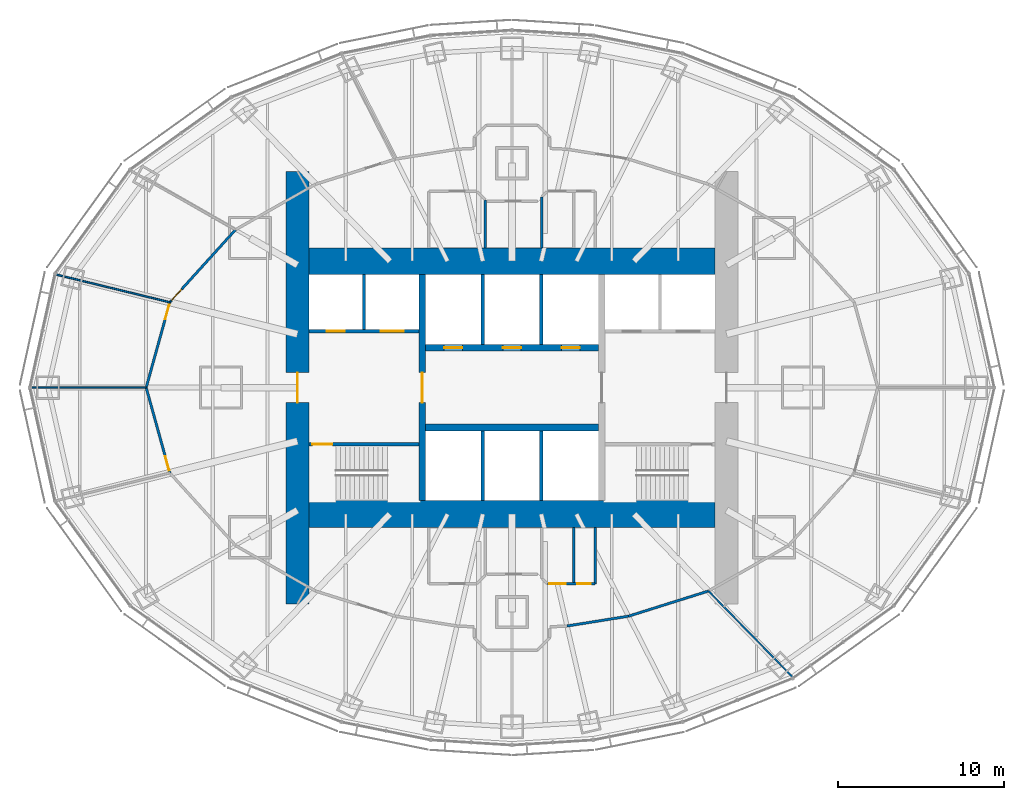
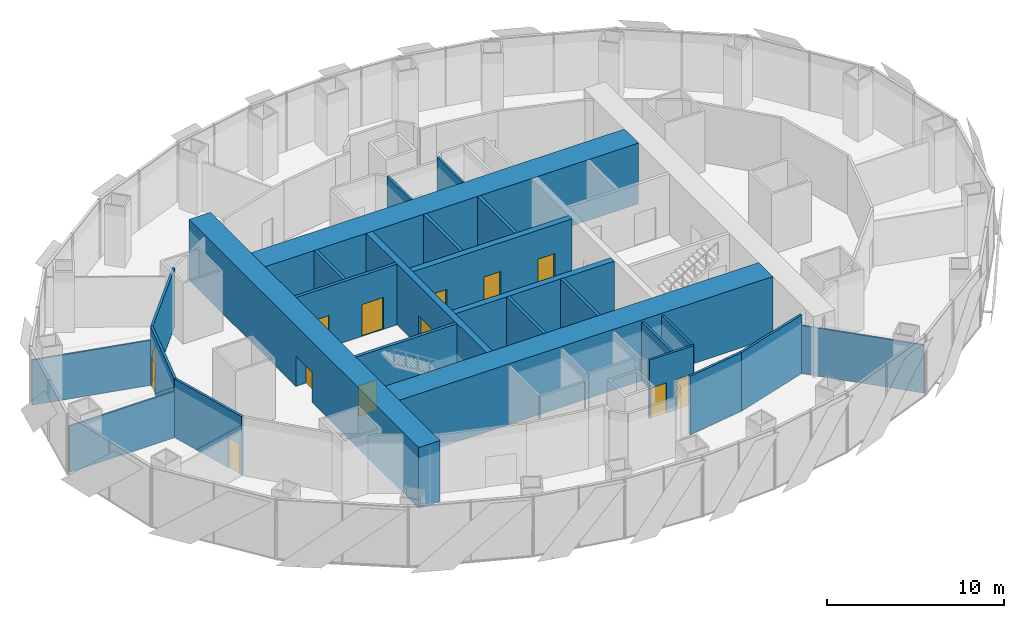
# One storey, part 11 of 17: 26 walls, 13 doors, 13 openings.
"""IFC4 building model written with IfcOpenShell, lengths in metres."""

from ifc_helpers import new_model, si_unit, direction, frame, frame_2d, origin, place, context, subcontext, project, spatial, rectangle, extrude, material, layer, layer_set, type_object, element, fill, save


model = new_model("IFC4")

# Units and contexts
model_context = context("Model", 3, precision=1e-05, world=origin(), true_north=direction((0.0, 1.0)))
body_context = subcontext(model_context, "Body", "Model", "MODEL_VIEW")
ifc_project = project(units=[si_unit("LENGTHUNIT", "METRE"), si_unit("AREAUNIT", "SQUARE_METRE"), si_unit("VOLUMEUNIT", "CUBIC_METRE"), si_unit("PLANEANGLEUNIT", "RADIAN"), si_unit("MASSUNIT", "GRAM", prefix="KILO")], contexts=[model_context])

# Site, building, storey
site_placement = place(None, origin())
site = spatial("IfcSite", under=ifc_project, at=site_placement, CompositionType="ELEMENT")
building_placement = place(site_placement, origin())
building = spatial("IfcBuilding", under=site, at=building_placement, Name="Lantaw Convention Tower", CompositionType="ELEMENT")
storey_placement = place(building_placement, frame((0.0, 0.0, 121.60009765625)))
storey = spatial("IfcBuildingStorey", under=building, at=storey_placement, Name="L28", CompositionType="ELEMENT", Elevation=121.60009765625)

# Wall, opening, door
ifc_material_1 = material(Name="Concrete C60/75", Category="concrete")
ifc_layer_1 = layer(ifc_material_1, 1.39990234375)
ifc_layer_set_1 = layer_set([ifc_layer_1], Name="Core wall 1400")
wall_type_1 = type_object("IfcWallType", Name="Core wall 1400", PredefinedType="SHEAR", material=ifc_layer_set_1)
wall_1_placement = place(storey_placement, frame((-12.89990234375, 13.0, 0.0), z_axis=(0.0, 0.0, 1.0), x_axis=(0.0, -1.0, 0.0)))
wall_1 = element("IfcWall", 1, at=wall_1_placement, inside=storey, type_object=wall_type_1, Name="Core wall W", PredefinedType="SHEAR", context=body_context, shape_type="SweptSolid", body=[
    extrude(rectangle(XDim=26.0, YDim=1.39990234375, at=frame_2d((13.0, 0.0))), origin(), (0.0, 0.0, 1.0), 4.199951171875),
])
opening_1_placement = place(wall_1_placement, frame((12.10009765625, 0.0, 0.0)))
opening_1 = element("IfcOpeningElement", 2, at=opening_1_placement, cuts=wall_1, Name="Opening L28.06", PredefinedType="OPENING", context=body_context, shape_type="SweptSolid", body=[
    extrude(rectangle(XDim=1.800048828125, YDim=2.10009765625, at=frame_2d((0.89990234375, 1.050048828125))), frame((0.0, 0.7099609375, 0.0), z_axis=(0.0, -1.0, 0.0), x_axis=(1.0, 0.0, 0.0)), (0.0, 0.0, 1.0), 1.419921875),
])
ifc_material_2 = material(Name="Steel, fire rated", Category="steel")
door_type_1 = type_object("IfcDoorType", Name="Lobby double door FD90", OperationType="DOUBLE_DOOR_DOUBLE_SWING", PredefinedType="DOOR", material=ifc_material_2)
door_1_placement = place(opening_1_placement, origin())
door_1 = element("IfcDoor", 3, at=door_1_placement, inside=storey, type_object=door_type_1, Name="Firefighting lobby door", OperationType="DOUBLE_DOOR_DOUBLE_SWING", OverallHeight=2.10009765625, OverallWidth=1.800048828125, PredefinedType="DOOR", context=body_context, shape_type="SweptSolid", body=[
    extrude(rectangle(XDim=1.800048828125, YDim=2.10009765625, at=frame_2d((0.89990234375, 1.050048828125))), frame((0.0, 0.02490234375, 0.0), z_axis=(0.0, -1.0, 0.0), x_axis=(1.0, 0.0, 0.0)), (0.0, 0.0, 1.0), 0.050048828125),
])
fill(opening_1, door_1)

# Walls
ifc_layer_2 = layer(ifc_material_1, 1.60009765625)
ifc_layer_set_2 = layer_set([ifc_layer_2], Name="Core wall 1600")
wall_type_2 = type_object("IfcWallType", Name="Core wall 1600", PredefinedType="SHEAR", material=ifc_layer_set_2)
for number, where, z_axis, x_axis, name in (
    (4, (-12.199951171875, -7.60009765625, 0.0), (0.0, 0.0, 1.0), (1.0, 0.0, 0.0), "Core wall S"),
    (5, (12.199951171875, 7.60009765625, 0.0), (0.0, 0.0, 1.0), (-1.0, 0.0, 0.0), "Core wall N"),
):
    element("IfcWall", number, at=place(storey_placement, frame(where, z_axis=z_axis, x_axis=x_axis)), inside=storey, type_object=wall_type_2, Name=name, PredefinedType="SHEAR", context=body_context, shape_type="SweptSolid", body=[
        extrude(rectangle(XDim=24.39990234375, YDim=1.60009765625, at=frame_2d((12.199951171875, 0.0))), origin(), (0.0, 0.0, 1.0), 4.199951171875),
    ])

# Wall, opening, door
ifc_layer_3 = layer(ifc_material_1, 0.199951171875)
ifc_layer_set_3 = layer_set([ifc_layer_3], Name="Core wall 200")
wall_type_3 = type_object("IfcWallType", Name="Core wall 200", PredefinedType="SHEAR", material=ifc_layer_set_3)
wall_2_placement = place(storey_placement, frame((-5.60009765625, -3.39990234375, 0.0), z_axis=(0.0, 0.0, 1.0), x_axis=(-1.0, 0.0, 0.0)))
wall_2 = element("IfcWall", 6, at=wall_2_placement, inside=storey, type_object=wall_type_3, Name="Core wall WS", PredefinedType="SHEAR", context=body_context, shape_type="SweptSolid", body=[
    extrude(rectangle(XDim=6.599853515625, YDim=0.199951171875, at=frame_2d((3.2998046875, 0.0))), origin(), (0.0, 0.0, 1.0), 4.199951171875),
])
opening_2_placement = place(wall_2_placement, frame((5.199951171875, 0.0, 0.0)))
opening_2 = element("IfcOpeningElement", 7, at=opening_2_placement, cuts=wall_2, Name="Opening L28.04", PredefinedType="OPENING", context=body_context, shape_type="SweptSolid", body=[
    extrude(rectangle(XDim=1.199951171875, YDim=2.10009765625, at=frame_2d((0.60009765625, 1.050048828125))), frame((0.0, 0.10986328125, 0.0), z_axis=(0.0, -1.0, 0.0), x_axis=(1.0, 0.0, 0.0)), (0.0, 0.0, 1.0), 0.219970703125),
])
door_type_2 = type_object("IfcDoorType", Name="Stair door FD90", OperationType="SINGLE_SWING_RIGHT", PredefinedType="DOOR", material=ifc_material_2)
door_2_placement = place(opening_2_placement, origin())
door_2 = element("IfcDoor", 8, at=door_2_placement, inside=storey, type_object=door_type_2, Name="Exit stair door", OperationType="SINGLE_SWING_RIGHT", OverallHeight=2.10009765625, OverallWidth=1.199951171875, PredefinedType="DOOR", context=body_context, shape_type="SweptSolid", body=[
    extrude(rectangle(XDim=1.199951171875, YDim=2.10009765625, at=frame_2d((0.60009765625, 1.050048828125))), frame((0.0, 0.02490234375, 0.0), z_axis=(0.0, -1.0, 0.0), x_axis=(1.0, 0.0, 0.0)), (0.0, 0.0, 1.0), 0.050048828125),
])
fill(opening_2, door_2)

ifc_layer_4 = layer(ifc_material_1, 0.39990234375)
ifc_layer_set_4 = layer_set([ifc_layer_4], Name="Core wall 400")
wall_type_4 = type_object("IfcWallType", Name="Core wall 400", PredefinedType="SHEAR", material=ifc_layer_set_4)
wall_3_placement = place(storey_placement, frame((-5.39990234375, 6.800048828125, 0.0), z_axis=(0.0, 0.0, 1.0), x_axis=(0.0, -1.0, 0.0)))
wall_3 = element("IfcWall", 9, at=wall_3_placement, inside=storey, type_object=wall_type_4, Name="Core wall XW", PredefinedType="SHEAR", context=body_context, shape_type="SweptSolid", body=[
    extrude(rectangle(XDim=13.60009765625, YDim=0.39990234375, at=frame_2d((6.800048828125, 0.0))), origin(), (0.0, 0.0, 1.0), 4.199951171875),
])
opening_3_placement = place(wall_3_placement, frame((5.89990234375, 0.0, 0.0)))
opening_3 = element("IfcOpeningElement", 10, at=opening_3_placement, cuts=wall_3, Name="Opening L28.02", PredefinedType="OPENING", context=body_context, shape_type="SweptSolid", body=[
    extrude(rectangle(XDim=1.800048828125, YDim=2.10009765625, at=frame_2d((0.89990234375, 1.050048828125))), frame((0.0, 0.2099609375, 0.0), z_axis=(0.0, -1.0, 0.0), x_axis=(1.0, 0.0, 0.0)), (0.0, 0.0, 1.0), 0.419921875),
])
door_3_placement = place(opening_3_placement, origin())
door_3 = element("IfcDoor", 11, at=door_3_placement, inside=storey, type_object=door_type_1, Name="Lift lobby door", OperationType="DOUBLE_DOOR_DOUBLE_SWING", OverallHeight=2.10009765625, OverallWidth=1.800048828125, PredefinedType="DOOR", context=body_context, shape_type="SweptSolid", body=[
    extrude(rectangle(XDim=1.800048828125, YDim=2.10009765625, at=frame_2d((0.89990234375, 1.050048828125))), frame((0.0, 0.02490234375, 0.0), z_axis=(0.0, -1.0, 0.0), x_axis=(1.0, 0.0, 0.0)), (0.0, 0.0, 1.0), 0.050048828125),
])
fill(opening_3, door_3)

# Wall
wall_4_placement = place(storey_placement, frame((-5.199951171875, -2.39990234375, 0.0), z_axis=(0.0, 0.0, 1.0), x_axis=(1.0, 0.0, 0.0)))
element("IfcWall", 12, at=wall_4_placement, inside=storey, type_object=wall_type_4, Name="Core wall BS", PredefinedType="SHEAR", context=body_context, shape_type="SweptSolid", body=[
    extrude(rectangle(XDim=10.39990234375, YDim=0.39990234375, at=frame_2d((5.199951171875, 0.0))), origin(), (0.0, 0.0, 1.0), 4.199951171875),
])

# Wall, openings, doors
wall_5_placement = place(storey_placement, frame((5.199951171875, 2.39990234375, 0.0), z_axis=(0.0, 0.0, 1.0), x_axis=(-1.0, 0.0, 0.0)))
wall_5 = element("IfcWall", 13, at=wall_5_placement, inside=storey, type_object=wall_type_4, Name="Core wall BN", PredefinedType="SHEAR", context=body_context, shape_type="SweptSolid", body=[
    extrude(rectangle(XDim=10.39990234375, YDim=0.39990234375, at=frame_2d((5.199951171875, 0.0))), origin(), (0.0, 0.0, 1.0), 4.199951171875),
])
opening_4_placement = place(wall_5_placement, frame((8.183349609375, 0.0, 0.0)))
opening_4 = element("IfcOpeningElement", 14, at=opening_4_placement, cuts=wall_5, Name="Opening L28.07", PredefinedType="OPENING", context=body_context, shape_type="SweptSolid", body=[
    extrude(rectangle(XDim=1.10009765625, YDim=2.199951171875, at=frame_2d((0.550048828125, 1.10009765625))), frame((0.0, 0.2099609375, 0.0), z_axis=(0.0, -1.0, 0.0), x_axis=(1.0, 0.0, 0.0)), (0.0, 0.0, 1.0), 0.419921875),
])
opening_5_placement = place(wall_5_placement, frame((4.64990234375, 0.0, 0.0)))
opening_5 = element("IfcOpeningElement", 15, at=opening_5_placement, cuts=wall_5, Name="Opening L28.08", PredefinedType="OPENING", context=body_context, shape_type="SweptSolid", body=[
    extrude(rectangle(XDim=1.10009765625, YDim=2.199951171875, at=frame_2d((0.550048828125, 1.10009765625))), frame((0.0, 0.2099609375, 0.0), z_axis=(0.0, -1.0, 0.0), x_axis=(1.0, 0.0, 0.0)), (0.0, 0.0, 1.0), 0.419921875),
])
opening_6_placement = place(wall_5_placement, frame((1.11669921875, 0.0, 0.0)))
opening_6 = element("IfcOpeningElement", 16, at=opening_6_placement, cuts=wall_5, Name="Opening L28.09", PredefinedType="OPENING", context=body_context, shape_type="SweptSolid", body=[
    extrude(rectangle(XDim=1.10009765625, YDim=2.199951171875, at=frame_2d((0.550048828125, 1.10009765625))), frame((0.0, 0.2099609375, 0.0), z_axis=(0.0, -1.0, 0.0), x_axis=(1.0, 0.0, 0.0)), (0.0, 0.0, 1.0), 0.419921875),
])
ifc_material_3 = material(Name="Stainless steel", Category="steel")
door_type_3 = type_object("IfcDoorType", Name="Lift landing door 1100", OperationType="DOUBLE_DOOR_SLIDING", PredefinedType="DOOR", material=ifc_material_3)
door_4_placement = place(opening_4_placement, origin())
door_4 = element("IfcDoor", 17, at=door_4_placement, inside=storey, type_object=door_type_3, Name="Lift landing door N1", OperationType="DOUBLE_DOOR_SLIDING", OverallHeight=2.199951171875, OverallWidth=1.10009765625, PredefinedType="DOOR", context=body_context, shape_type="SweptSolid", body=[
    extrude(rectangle(XDim=1.10009765625, YDim=2.199951171875, at=frame_2d((0.550048828125, 1.10009765625))), frame((0.0, 0.02490234375, 0.0), z_axis=(0.0, -1.0, 0.0), x_axis=(1.0, 0.0, 0.0)), (0.0, 0.0, 1.0), 0.050048828125),
])
fill(opening_4, door_4)
door_5_placement = place(opening_5_placement, origin())
door_5 = element("IfcDoor", 18, at=door_5_placement, inside=storey, type_object=door_type_3, Name="Lift landing door N2", OperationType="DOUBLE_DOOR_SLIDING", OverallHeight=2.199951171875, OverallWidth=1.10009765625, PredefinedType="DOOR", context=body_context, shape_type="SweptSolid", body=[
    extrude(rectangle(XDim=1.10009765625, YDim=2.199951171875, at=frame_2d((0.550048828125, 1.10009765625))), frame((0.0, 0.02490234375, 0.0), z_axis=(0.0, -1.0, 0.0), x_axis=(1.0, 0.0, 0.0)), (0.0, 0.0, 1.0), 0.050048828125),
])
fill(opening_5, door_5)
door_6_placement = place(opening_6_placement, origin())
door_6 = element("IfcDoor", 19, at=door_6_placement, inside=storey, type_object=door_type_3, Name="Lift landing door N3", OperationType="DOUBLE_DOOR_SLIDING", OverallHeight=2.199951171875, OverallWidth=1.10009765625, PredefinedType="DOOR", context=body_context, shape_type="SweptSolid", body=[
    extrude(rectangle(XDim=1.10009765625, YDim=2.199951171875, at=frame_2d((0.550048828125, 1.10009765625))), frame((0.0, 0.02490234375, 0.0), z_axis=(0.0, -1.0, 0.0), x_axis=(1.0, 0.0, 0.0)), (0.0, 0.0, 1.0), 0.050048828125),
])
fill(opening_6, door_6)

# Wall, opening, door
ifc_material_4 = material(Name="Gypsum board on steel studs, fire rated", Category="steel")
ifc_layer_5 = layer(ifc_material_4, 0.14990234375)
ifc_layer_set_5 = layer_set([ifc_layer_5], Name="Corridor wall 150 EI 60")
wall_type_5 = type_object("IfcWallType", Name="Corridor wall 150 EI 60", PredefinedType="PARTITIONING", material=ifc_layer_set_5)
wall_6_placement = place(storey_placement, frame((-16.62255859375, 9.49853515625, 0.0), z_axis=(0.0, 0.0, 1.0), x_axis=(-0.671118353743, -0.741350224435, 0.0)))
wall_6 = element("IfcWall", 20, at=wall_6_placement, inside=storey, type_object=wall_type_5, Name="Corridor wall 150", PredefinedType="PARTITIONING", context=body_context, shape_type="SweptSolid", body=[
    extrude(rectangle(XDim=5.89208984375, YDim=0.14990234375, at=frame_2d((2.946044921875, 0.0))), origin(), (0.0, 0.0, 1.0), 4.0498046875),
])
opening_7_placement = place(wall_6_placement, frame((4.84228515625, 0.0, 0.0)))
opening_7 = element("IfcOpeningElement", 21, at=opening_7_placement, cuts=wall_6, Name="Opening L28.24", PredefinedType="OPENING", context=body_context, shape_type="SweptSolid", body=[
    extrude(rectangle(XDim=0.89990234375, YDim=2.10009765625, at=frame_2d((0.449951171875, 1.050048828125))), frame((0.0, 0.0849609375, 0.0), z_axis=(0.0, -1.0, 0.0), x_axis=(1.0, 0.0, 0.0)), (0.0, 0.0, 1.0), 0.169921875),
])
door_type_4 = type_object("IfcDoorType", Name="Office door 900 FD30", OperationType="SINGLE_SWING_LEFT", PredefinedType="DOOR", material=ifc_material_2)
door_7_placement = place(opening_7_placement, origin())
door_7 = element("IfcDoor", 22, at=door_7_placement, inside=storey, type_object=door_type_4, Name="Nap room door", OperationType="SINGLE_SWING_LEFT", OverallHeight=2.10009765625, OverallWidth=0.89990234375, PredefinedType="DOOR", context=body_context, shape_type="SweptSolid", body=[
    extrude(rectangle(XDim=0.89990234375, YDim=2.10009765625, at=frame_2d((0.449951171875, 1.050048828125))), frame((0.0, 0.02490234375, 0.0), z_axis=(0.0, -1.0, 0.0), x_axis=(1.0, 0.0, 0.0)), (0.0, 0.0, 1.0), 0.050048828125),
])
fill(opening_7, door_7)

wall_7_placement = place(storey_placement, frame((-20.576904296875, 5.13037109375, 0.0), z_axis=(0.0, 0.0, 1.0), x_axis=(-0.267293817428, -0.963615076244, 0.0)))
wall_7 = element("IfcWall", 23, at=wall_7_placement, inside=storey, type_object=wall_type_5, Name="Corridor wall 150", PredefinedType="PARTITIONING", context=body_context, shape_type="SweptSolid", body=[
    extrude(rectangle(XDim=5.323974609375, YDim=0.14990234375, at=frame_2d((2.662109375, 0.0))), origin(), (0.0, 0.0, 1.0), 4.0498046875),
])
opening_8_placement = place(wall_7_placement, frame((0.14990234375, 0.0, 0.0)))
opening_8 = element("IfcOpeningElement", 24, at=opening_8_placement, cuts=wall_7, Name="Opening L28.25", PredefinedType="OPENING", context=body_context, shape_type="SweptSolid", body=[
    extrude(rectangle(XDim=0.89990234375, YDim=2.10009765625, at=frame_2d((0.449951171875, 1.050048828125))), frame((0.0, 0.0849609375, 0.0), z_axis=(0.0, -1.0, 0.0), x_axis=(1.0, 0.0, 0.0)), (0.0, 0.0, 1.0), 0.169921875),
])
door_8_placement = place(opening_8_placement, origin())
door_8 = element("IfcDoor", 25, at=door_8_placement, inside=storey, type_object=door_type_4, Name="Quiet room door", OperationType="SINGLE_SWING_LEFT", OverallHeight=2.10009765625, OverallWidth=0.89990234375, PredefinedType="DOOR", context=body_context, shape_type="SweptSolid", body=[
    extrude(rectangle(XDim=0.89990234375, YDim=2.10009765625, at=frame_2d((0.449951171875, 1.050048828125))), frame((0.0, 0.02490234375, 0.0), z_axis=(0.0, -1.0, 0.0), x_axis=(1.0, 0.0, 0.0)), (0.0, 0.0, 1.0), 0.050048828125),
])
fill(opening_8, door_8)

wall_8_placement = place(storey_placement, frame((-22.0, 0.0, 0.0), z_axis=(0.0, 0.0, 1.0), x_axis=(0.267293817428, -0.963615076244, 0.0)))
wall_8 = element("IfcWall", 26, at=wall_8_placement, inside=storey, type_object=wall_type_5, Name="Corridor wall 150", PredefinedType="PARTITIONING", context=body_context, shape_type="SweptSolid", body=[
    extrude(rectangle(XDim=5.323974609375, YDim=0.14990234375, at=frame_2d((2.662109375, 0.0))), origin(), (0.0, 0.0, 1.0), 4.0498046875),
])
opening_9_placement = place(wall_8_placement, frame((4.274169921875, 0.0, 0.0)))
opening_9 = element("IfcOpeningElement", 27, at=opening_9_placement, cuts=wall_8, Name="Opening L28.26", PredefinedType="OPENING", context=body_context, shape_type="SweptSolid", body=[
    extrude(rectangle(XDim=0.89990234375, YDim=2.10009765625, at=frame_2d((0.449951171875, 1.050048828125))), frame((0.0, 0.0849609375, 0.0), z_axis=(0.0, -1.0, 0.0), x_axis=(1.0, 0.0, 0.0)), (0.0, 0.0, 1.0), 0.169921875),
])
door_9_placement = place(opening_9_placement, origin())
door_9 = element("IfcDoor", 28, at=door_9_placement, inside=storey, type_object=door_type_4, Name="24-hour pantry door", OperationType="SINGLE_SWING_LEFT", OverallHeight=2.10009765625, OverallWidth=0.89990234375, PredefinedType="DOOR", context=body_context, shape_type="SweptSolid", body=[
    extrude(rectangle(XDim=0.89990234375, YDim=2.10009765625, at=frame_2d((0.449951171875, 1.050048828125))), frame((0.0, 0.02490234375, 0.0), z_axis=(0.0, -1.0, 0.0), x_axis=(1.0, 0.0, 0.0)), (0.0, 0.0, 1.0), 0.050048828125),
])
fill(opening_9, door_9)

# Walls
wall_9_placement = place(storey_placement, frame((3.3095703125, -14.3349609375, 0.0), z_axis=(0.0, 0.0, 1.0), x_axis=(0.987511396594, 0.157547585181, 0.0)))
element("IfcWall", 29, at=wall_9_placement, inside=storey, type_object=wall_type_5, Name="Corridor wall 150", PredefinedType="PARTITIONING", context=body_context, shape_type="SweptSolid", body=[
    extrude(rectangle(XDim=3.74072265625, YDim=0.14990234375, at=frame_2d((1.870361328125, 0.0))), origin(), (0.0, 0.0, 1.0), 4.0498046875),
])
wall_10_placement = place(storey_placement, frame((7.003662109375, -13.74560546875, 0.0), z_axis=(0.0, 0.0, 1.0), x_axis=(0.953893934057, 0.300143903101, 0.0)))
element("IfcWall", 30, at=wall_10_placement, inside=storey, type_object=wall_type_5, Name="Corridor wall 150", PredefinedType="PARTITIONING", context=body_context, shape_type="SweptSolid", body=[
    extrude(rectangle(XDim=5.04150390625, YDim=0.14990234375, at=frame_2d((2.520751953125, 0.0))), origin(), (0.0, 0.0, 1.0), 4.0498046875),
])
ifc_material_5 = material(Name="Gypsum board on steel studs, acoustic", Category="steel")
ifc_layer_6 = layer(ifc_material_5, 0.10009765625)
ifc_layer_set_6 = layer_set([ifc_layer_6], Name="Office partition 100")
wall_type_6 = type_object("IfcWallType", Name="Office partition 100", PredefinedType="PARTITIONING", material=ifc_layer_set_6)
wall_11_placement = place(storey_placement, frame((-27.440673828125, 6.808837890625, 0.0), z_axis=(0.0, 0.0, 1.0), x_axis=(0.971377572955, -0.237540755996, 0.0)))
element("IfcWall", 31, at=wall_11_placement, inside=storey, type_object=wall_type_6, Name="Office partition 100", PredefinedType="PARTITIONING", context=body_context, shape_type="SweptSolid", body=[
    extrude(rectangle(XDim=7.06591796875, YDim=0.10009765625, at=frame_2d((3.532958984375, 0.0))), origin(), (0.0, 0.0, 1.0), 3.112548828125),
])
wall_12_placement = place(storey_placement, frame((-28.944091796875, 0.0, 0.0), z_axis=(0.0, 0.0, 1.0), x_axis=(1.0, 0.0, 0.0)))
element("IfcWall", 32, at=wall_12_placement, inside=storey, type_object=wall_type_6, Name="Office partition 100", PredefinedType="PARTITIONING", context=body_context, shape_type="SweptSolid", body=[
    extrude(rectangle(XDim=6.944091796875, YDim=0.10009765625, at=frame_2d((3.47216796875, 0.0))), origin(), (0.0, 0.0, 1.0), 3.2041015625),
])
wall_13_placement = place(storey_placement, frame((16.88232421875, -17.413818359375, 0.0), z_axis=(0.0, 0.0, 1.0), x_axis=(-0.699352142517, 0.714777294517, 0.0)))
element("IfcWall", 33, at=wall_13_placement, inside=storey, type_object=wall_type_6, Name="Office partition 100", PredefinedType="PARTITIONING", context=body_context, shape_type="SweptSolid", body=[
    extrude(rectangle(XDim=7.2490234375, YDim=0.10009765625, at=frame_2d((3.62451171875, 0.0))), origin(), (0.0, 0.0, 1.0), 3.32080078125),
])
ifc_material_6 = material(Name="Concrete blockwork, fire rated", Category="masonry")
ifc_layer_7 = layer(ifc_material_6, 0.199951171875)
ifc_layer_set_7 = layer_set([ifc_layer_7], Name="Shaft wall 200")
wall_type_7 = type_object("IfcWallType", Name="Shaft wall 200", PredefinedType="SOLIDWALL", material=ifc_layer_set_7)
for number, where, z_axis, x_axis, name in (
    (34, (-1.7666015625, 2.60009765625, 0.0), (0.0, 0.0, 1.0), (0.0, 1.0, 0.0), "Shaft wall DN1"),
    (35, (1.7666015625, 2.60009765625, 0.0), (0.0, 0.0, 1.0), (0.0, 1.0, 0.0), "Shaft wall DN2"),
):
    element("IfcWall", number, at=place(storey_placement, frame(where, z_axis=z_axis, x_axis=x_axis)), inside=storey, type_object=wall_type_7, Name=name, PredefinedType="SOLIDWALL", context=body_context, shape_type="SweptSolid", body=[
        extrude(rectangle(XDim=4.199951171875, YDim=0.199951171875, at=frame_2d((2.10009765625, 0.0))), origin(), (0.0, 0.0, 1.0), 4.199951171875),
    ])

# Wall, openings, doors
wall_14_placement = place(storey_placement, frame((-12.199951171875, 3.39990234375, 0.0), z_axis=(0.0, 0.0, 1.0), x_axis=(1.0, 0.0, 0.0)))
wall_14 = element("IfcWall", 36, at=wall_14_placement, inside=storey, type_object=wall_type_7, Name="Shaft wall WN", PredefinedType="SOLIDWALL", context=body_context, shape_type="SweptSolid", body=[
    extrude(rectangle(XDim=6.599853515625, YDim=0.199951171875, at=frame_2d((3.2998046875, 0.0))), origin(), (0.0, 0.0, 1.0), 4.199951171875),
])
opening_10_placement = place(wall_14_placement, frame((1.050048828125, 0.0, 0.0)))
opening_10 = element("IfcOpeningElement", 37, at=opening_10_placement, cuts=wall_14, Name="Opening L28.10", PredefinedType="OPENING", context=body_context, shape_type="SweptSolid", body=[
    extrude(rectangle(XDim=1.10009765625, YDim=2.199951171875, at=frame_2d((0.550048828125, 1.10009765625))), frame((0.0, 0.10986328125, 0.0), z_axis=(0.0, -1.0, 0.0), x_axis=(1.0, 0.0, 0.0)), (0.0, 0.0, 1.0), 0.219970703125),
])
opening_11_placement = place(wall_14_placement, frame((4.300048828125, 0.0, 0.0)))
opening_11 = element("IfcOpeningElement", 38, at=opening_11_placement, cuts=wall_14, Name="Opening L28.11", PredefinedType="OPENING", context=body_context, shape_type="SweptSolid", body=[
    extrude(rectangle(XDim=1.39990234375, YDim=2.199951171875, at=frame_2d((0.699951171875, 1.10009765625))), frame((0.0, 0.10986328125, 0.0), z_axis=(0.0, -1.0, 0.0), x_axis=(1.0, 0.0, 0.0)), (0.0, 0.0, 1.0), 0.219970703125),
])
door_10_placement = place(opening_10_placement, origin())
door_10 = element("IfcDoor", 39, at=door_10_placement, inside=storey, type_object=door_type_3, Name="Lift landing door FF1", OperationType="DOUBLE_DOOR_SLIDING", OverallHeight=2.199951171875, OverallWidth=1.10009765625, PredefinedType="DOOR", context=body_context, shape_type="SweptSolid", body=[
    extrude(rectangle(XDim=1.10009765625, YDim=2.199951171875, at=frame_2d((0.550048828125, 1.10009765625))), frame((0.0, 0.02490234375, 0.0), z_axis=(0.0, -1.0, 0.0), x_axis=(1.0, 0.0, 0.0)), (0.0, 0.0, 1.0), 0.050048828125),
])
fill(opening_10, door_10)
door_type_5 = type_object("IfcDoorType", Name="Lift landing door 1400", OperationType="DOUBLE_DOOR_SLIDING", PredefinedType="DOOR", material=ifc_material_3)
door_11_placement = place(opening_11_placement, origin())
door_11 = element("IfcDoor", 40, at=door_11_placement, inside=storey, type_object=door_type_5, Name="Lift landing door SV1", OperationType="DOUBLE_DOOR_SLIDING", OverallHeight=2.199951171875, OverallWidth=1.39990234375, PredefinedType="DOOR", context=body_context, shape_type="SweptSolid", body=[
    extrude(rectangle(XDim=1.39990234375, YDim=2.199951171875, at=frame_2d((0.699951171875, 1.10009765625))), frame((0.0, 0.02490234375, 0.0), z_axis=(0.0, -1.0, 0.0), x_axis=(1.0, 0.0, 0.0)), (0.0, 0.0, 1.0), 0.050048828125),
])
fill(opening_11, door_11)

# Walls
wall_15_placement = place(storey_placement, frame((-8.89990234375, 3.5, 0.0), z_axis=(0.0, 0.0, 1.0), x_axis=(0.0, 1.0, 0.0)))
element("IfcWall", 41, at=wall_15_placement, inside=storey, type_object=wall_type_7, Name="Shaft wall WD", PredefinedType="SOLIDWALL", context=body_context, shape_type="SweptSolid", body=[
    extrude(rectangle(XDim=3.300048828125, YDim=0.199951171875, at=frame_2d((1.64990234375, 0.0))), origin(), (0.0, 0.0, 1.0), 4.199951171875),
])
ifc_layer_8 = layer(ifc_material_6, 0.199951171875)
ifc_layer_set_8 = layer_set([ifc_layer_8], Name="Shaft wall 200 load-bearing")
wall_type_8 = type_object("IfcWallType", Name="Shaft wall 200 load-bearing", PredefinedType="SOLIDWALL", material=ifc_layer_set_8)
for number, where, z_axis, x_axis, name in (
    (42, (-1.7666015625, -2.60009765625, 0.0), (0.0, 0.0, 1.0), (0.0, -1.0, 0.0), "Shaft wall DS1"),
    (43, (1.7666015625, -2.60009765625, 0.0), (0.0, 0.0, 1.0), (0.0, -1.0, 0.0), "Shaft wall DS2"),
):
    element("IfcWall", number, at=place(storey_placement, frame(where, z_axis=z_axis, x_axis=x_axis)), inside=storey, type_object=wall_type_8, Name=name, PredefinedType="SOLIDWALL", context=body_context, shape_type="SweptSolid", body=[
        extrude(rectangle(XDim=4.199951171875, YDim=0.199951171875, at=frame_2d((2.10009765625, 0.0))), origin(), (0.0, 0.0, 1.0), 4.199951171875),
    ])
ifc_material_7 = material(Name="Concrete blockwork", Category="masonry")
ifc_layer_9 = layer(ifc_material_7, 0.14990234375)
ifc_layer_set_9 = layer_set([ifc_layer_9], Name="WC wall 150")
wall_type_9 = type_object("IfcWallType", Name="WC wall 150", PredefinedType="SOLIDWALL", material=ifc_layer_set_9)
for number, where, z_axis, x_axis, name in (
    (44, (5.0, -8.39990234375, 0.0), (0.0, 0.0, 1.0), (0.0, -1.0, 0.0), "WC wall 150"),
    (45, (3.699951171875, -8.39990234375, 0.0), (0.0, 0.0, 1.0), (0.0, -1.0, 0.0), "WC wall 150"),
):
    element("IfcWall", number, at=place(storey_placement, frame(where, z_axis=z_axis, x_axis=x_axis)), inside=storey, type_object=wall_type_9, Name=name, PredefinedType="SOLIDWALL", context=body_context, shape_type="SweptSolid", body=[
        extrude(rectangle(XDim=3.400146484375, YDim=0.14990234375, at=frame_2d((1.7001953125, 0.0))), origin(), (0.0, 0.0, 1.0), 4.0498046875),
    ])

# Wall, openings, doors
wall_16_placement = place(storey_placement, frame((2.13134765625, -11.800048828125, 0.0), z_axis=(0.0, 0.0, 1.0), x_axis=(1.0, 0.0, 0.0)))
wall_16 = element("IfcWall", 46, at=wall_16_placement, inside=storey, type_object=wall_type_9, Name="WC wall 150", PredefinedType="SOLIDWALL", context=body_context, shape_type="SweptSolid", body=[
    extrude(rectangle(XDim=2.86865234375, YDim=0.14990234375, at=frame_2d((1.434326171875, 0.0))), origin(), (0.0, 0.0, 1.0), 4.0498046875),
])
opening_12_placement = place(wall_16_placement, frame((0.10009765625, 0.0, 0.0)))
opening_12 = element("IfcOpeningElement", 47, at=opening_12_placement, cuts=wall_16, Name="Opening L28.20", PredefinedType="OPENING", context=body_context, shape_type="SweptSolid", body=[
    extrude(rectangle(XDim=1.0, YDim=2.10009765625, at=frame_2d((0.5, 1.050048828125))), frame((0.0, 0.0849609375, 0.0), z_axis=(0.0, -1.0, 0.0), x_axis=(1.0, 0.0, 0.0)), (0.0, 0.0, 1.0), 0.169921875),
])
opening_13_placement = place(wall_16_placement, frame((1.800048828125, 0.0, 0.0)))
opening_13 = element("IfcOpeningElement", 48, at=opening_13_placement, cuts=wall_16, Name="Opening L28.21", PredefinedType="OPENING", context=body_context, shape_type="SweptSolid", body=[
    extrude(rectangle(XDim=0.800048828125, YDim=2.10009765625, at=frame_2d((0.39990234375, 1.050048828125))), frame((0.0, 0.0849609375, 0.0), z_axis=(0.0, -1.0, 0.0), x_axis=(1.0, 0.0, 0.0)), (0.0, 0.0, 1.0), 0.169921875),
])
ifc_material_8 = material(Name="Timber", Category="wood")
door_type_6 = type_object("IfcDoorType", Name="Accessible WC door 1000", OperationType="SINGLE_SWING_LEFT", PredefinedType="DOOR", material=ifc_material_8)
door_12_placement = place(opening_12_placement, origin())
door_12 = element("IfcDoor", 49, at=door_12_placement, inside=storey, type_object=door_type_6, Name="Accessible WC door", OperationType="SINGLE_SWING_LEFT", OverallHeight=2.10009765625, OverallWidth=1.0, PredefinedType="DOOR", context=body_context, shape_type="SweptSolid", body=[
    extrude(rectangle(XDim=1.0, YDim=2.10009765625, at=frame_2d((0.5, 1.050048828125))), frame((0.0, 0.02490234375, 0.0), z_axis=(0.0, -1.0, 0.0), x_axis=(1.0, 0.0, 0.0)), (0.0, 0.0, 1.0), 0.050048828125),
])
fill(opening_12, door_12)
door_type_7 = type_object("IfcDoorType", Name="WC door 800", OperationType="SINGLE_SWING_LEFT", PredefinedType="DOOR", material=ifc_material_8)
door_13_placement = place(opening_13_placement, origin())
door_13 = element("IfcDoor", 50, at=door_13_placement, inside=storey, type_object=door_type_7, Name="Pantry door", OperationType="SINGLE_SWING_LEFT", OverallHeight=2.10009765625, OverallWidth=0.800048828125, PredefinedType="DOOR", context=body_context, shape_type="SweptSolid", body=[
    extrude(rectangle(XDim=0.800048828125, YDim=2.10009765625, at=frame_2d((0.39990234375, 1.050048828125))), frame((0.0, 0.02490234375, 0.0), z_axis=(0.0, -1.0, 0.0), x_axis=(1.0, 0.0, 0.0)), (0.0, 0.0, 1.0), 0.050048828125),
])
fill(opening_13, door_13)

# Walls
wall_17_placement = place(storey_placement, frame((-1.60009765625, 8.39990234375, 0.0), z_axis=(0.0, 0.0, 1.0), x_axis=(0.0, 1.0, 0.0)))
element("IfcWall", 51, at=wall_17_placement, inside=storey, type_object=wall_type_9, Name="WC wall 150", PredefinedType="SOLIDWALL", context=body_context, shape_type="SweptSolid", body=[
    extrude(rectangle(XDim=2.86865234375, YDim=0.14990234375, at=frame_2d((1.434326171875, 0.0))), origin(), (0.0, 0.0, 1.0), 4.0498046875),
])
wall_18_placement = place(storey_placement, frame((1.800048828125, 8.39990234375, 0.0), z_axis=(0.0, 0.0, 1.0), x_axis=(0.0, 1.0, 0.0)))
element("IfcWall", 52, at=wall_18_placement, inside=storey, type_object=wall_type_9, Name="WC wall 150", PredefinedType="SOLIDWALL", context=body_context, shape_type="SweptSolid", body=[
    extrude(rectangle(XDim=3.068603515625, YDim=0.14990234375, at=frame_2d((1.5341796875, 0.0))), origin(), (0.0, 0.0, 1.0), 4.0498046875),
])

save(model, "model.ifc")
